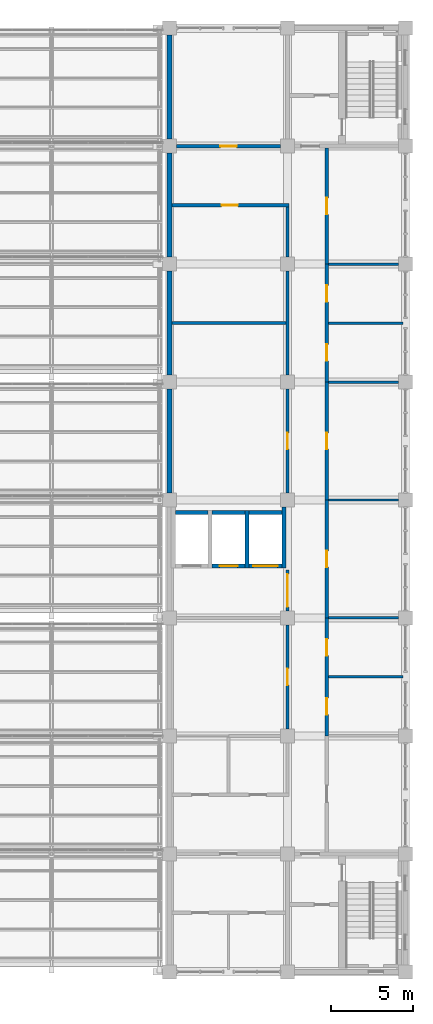
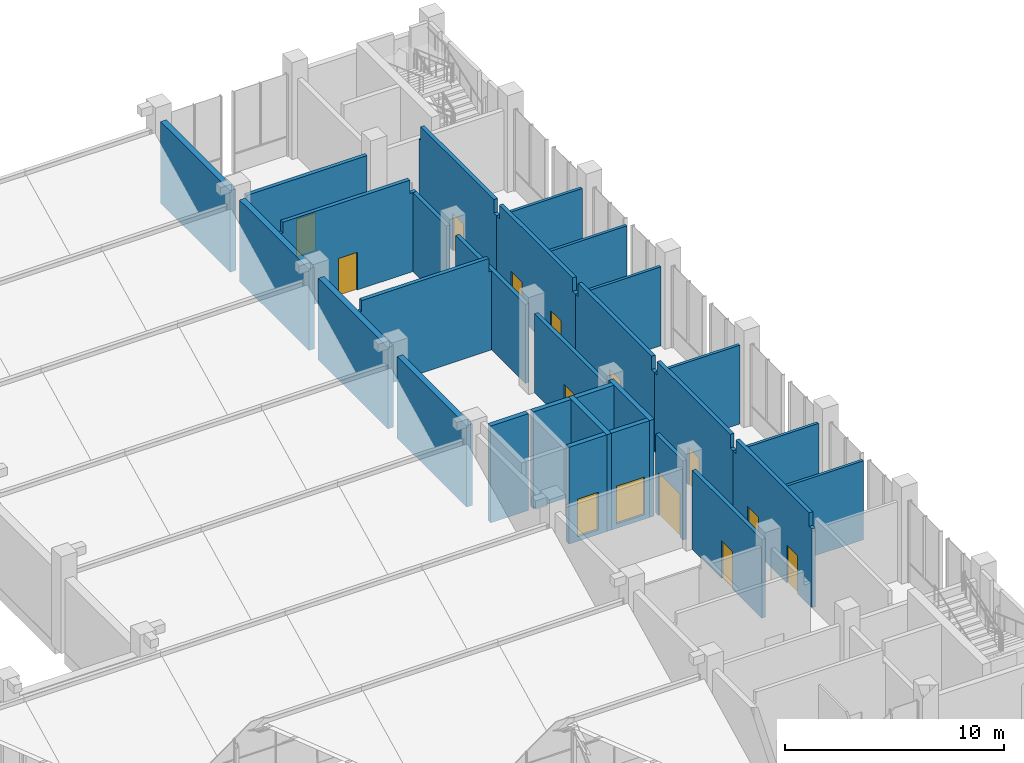
# One storey, part 75 of 83: 30 walls, 14 doors, 14 openings.
"""IFC4 building model written with IfcOpenShell, lengths in metres."""

from ifc_helpers import new_model, si_unit, direction, frame, frame_2d, origin, place, context, subcontext, project, spatial, polyline, rectangle, outline, extrude, material, layer, layer_set, type_object, element, fill, save


model = new_model("IFC4")

# Units and contexts
model_context = context("Model", 3, precision=1e-05, world=origin(), true_north=direction((0.0, 1.0)))
body_context = subcontext(model_context, "Body", "Model", "MODEL_VIEW")
ifc_project = project(units=[si_unit("LENGTHUNIT", "METRE"), si_unit("AREAUNIT", "SQUARE_METRE"), si_unit("VOLUMEUNIT", "CUBIC_METRE"), si_unit("PLANEANGLEUNIT", "RADIAN"), si_unit("MASSUNIT", "GRAM", prefix="KILO")], contexts=[model_context])

# Site, building, storey
site_placement = place(None, origin())
site = spatial("IfcSite", under=ifc_project, at=site_placement, CompositionType="ELEMENT")
building_placement = place(site_placement, origin())
building = spatial("IfcBuilding", under=site, at=building_placement, Name="Silangan Lancet Faculty of Sciences", CompositionType="ELEMENT")
storey_placement = place(building_placement, frame((0.0, 0.0, 11.39990234375)))
storey = spatial("IfcBuildingStorey", under=building, at=storey_placement, Name="L02", CompositionType="ELEMENT", Elevation=11.39990234375)

# Walls
ifc_material_1 = material(Name="Concrete C40/50", Category="concrete")
ifc_layer_1 = layer(ifc_material_1, 0.300048828125)
ifc_layer_set_1 = layer_set([ifc_layer_1], Name="Concrete C40/50")
wall_type_1 = type_object("IfcWallType", Name="EW6 Stone-faced base wall", PredefinedType="STANDARD", material=ifc_layer_set_1)
for number, where, z_axis, x_axis, name in (
    (1, (72.0, 29.22509765625, 0.0), (0.0, 0.0, 1.0), (0.0, 1.0, 0.0), "EW-L02-W-EB-04"),
    (2, (72.0, 36.425048828125, 0.0), (0.0, 0.0, 1.0), (0.0, 1.0, 0.0), "EW-L02-W-EB-05"),
):
    element("IfcWall", number, at=place(storey_placement, frame(where, z_axis=z_axis, x_axis=x_axis)), inside=storey, type_object=wall_type_1, Name=name, PredefinedType="STANDARD", context=body_context, shape_type="SweptSolid", body=[
        extrude(rectangle(XDim=6.349853515625, YDim=0.300048828125, at=frame_2d((3.1748046875, 0.0))), origin(), (0.0, 0.0, 1.0), 4.550048828125),
    ])
for number, where, z_axis, x_axis, name in (
    (3, (72.0, 43.625, 0.0), (0.0, 0.0, 1.0), (0.0, 1.0, 0.0), "EW-L02-W-EB-06"),
    (4, (72.0, 50.824951171875, 0.0), (0.0, 0.0, 1.0), (0.0, 1.0, 0.0), "EW-L02-W-EB-07"),
):
    element("IfcWall", number, at=place(storey_placement, frame(where, z_axis=z_axis, x_axis=x_axis)), inside=storey, type_object=wall_type_1, Name=name, PredefinedType="STANDARD", context=body_context, shape_type="SweptSolid", body=[
        extrude(rectangle(XDim=6.35009765625, YDim=0.300048828125, at=frame_2d((3.175048828125, 0.0))), origin(), (0.0, 0.0, 1.0), 4.550048828125),
    ])

# Wall, opening, door
ifc_material_2 = material(Name="Hollow block masonry fm 7 MPa", Category="masonry")
ifc_layer_2 = layer(ifc_material_2, 0.199951171875)
ifc_layer_set_2 = layer_set([ifc_layer_2], Name="Hollow block masonry fm 7 MPa")
wall_type_2 = type_object("IfcWallType", Name="Interior wall PW1 Corridor wall CHB 200", PredefinedType="PARTITIONING", material=ifc_layer_set_2)
wall_1_placement = place(storey_placement, frame((72.14990234375, 46.800048828125, 0.0), z_axis=(0.0, 0.0, 1.0), x_axis=(1.0, 0.0, 0.0)))
wall_1 = element("IfcWall", 5, at=wall_1_placement, inside=storey, type_object=wall_type_2, Name="Corridor wall CHB 200", PredefinedType="PARTITIONING", context=body_context, shape_type="SweptSolid", body=[
    extrude(outline(polyline([(0.0, 0.0), (7.150146484375, 0.0), (7.150146484375, 4.400146484375), (6.800048828125, 4.400146484375), (6.800048828125, 5.150146484375), (0.10009765625, 5.150146484375), (0.10009765625, 4.550048828125), (0.0, 4.550048828125), (0.0, 0.0)])), frame((0.0, 0.10009765625, 0.0), z_axis=(0.0, -1.0, 0.0), x_axis=(1.0, 0.0, 0.0)), (0.0, 0.0, 1.0), 0.199951171875),
])
opening_1_placement = place(wall_1_placement, frame((3.025146484375, 0.0, 0.0)))
opening_1 = element("IfcOpeningElement", 6, at=opening_1_placement, cuts=wall_1, Name="Opening L02-033", PredefinedType="OPENING", context=body_context, shape_type="SweptSolid", body=[
    extrude(rectangle(XDim=1.0, YDim=2.10009765625, at=frame_2d((0.5, 1.050048828125))), frame((0.0, 0.10986328125, 0.0), z_axis=(0.0, -1.0, 0.0), x_axis=(1.0, 0.0, 0.0)), (0.0, 0.0, 1.0), 0.219970703125),
])
ifc_material_3 = material(Name="Steel fire door set", Category="steel")
door_type_1 = type_object("IfcDoorType", Name="Door D1 Single leaf fire door 1000 x 2100", OperationType="SINGLE_SWING_LEFT", PredefinedType="DOOR", material=ifc_material_3)
door_1_placement = place(opening_1_placement, frame((1.0, 0.0, 0.0), z_axis=(0.0, 0.0, 1.0), x_axis=(-1.0, 0.0, 0.0)))
door_1 = element("IfcDoor", 7, at=door_1_placement, inside=storey, type_object=door_type_1, Name="Single leaf fire door 1000 x 2100", OperationType="SINGLE_SWING_LEFT", OverallHeight=2.10009765625, OverallWidth=1.0, PredefinedType="DOOR", context=body_context, shape_type="SweptSolid", body=[
    extrude(rectangle(XDim=1.0, YDim=2.10009765625, at=frame_2d((0.5, 1.050048828125))), frame((0.0, 0.025146484375, 0.0), z_axis=(0.0, -1.0, 0.0), x_axis=(1.0, 0.0, 0.0)), (0.0, 0.0, 1.0), 0.050048828125),
])
fill(opening_1, door_1)

wall_2_placement = place(storey_placement, frame((72.425048828125, 50.39990234375, 0.0), z_axis=(0.0, 0.0, 1.0), x_axis=(1.0, 0.0, 0.0)))
wall_2 = element("IfcWall", 8, at=wall_2_placement, inside=storey, type_object=wall_type_2, Name="Corridor wall CHB 200", PredefinedType="PARTITIONING", context=body_context, shape_type="SweptSolid", body=[
    extrude(rectangle(XDim=6.349853515625, YDim=0.199951171875, at=frame_2d((3.1748046875, 0.0))), origin(), (0.0, 0.0, 1.0), 4.400146484375),
])
opening_2_placement = place(wall_2_placement, frame((2.675048828125, 0.0, 0.0)))
opening_2 = element("IfcOpeningElement", 9, at=opening_2_placement, cuts=wall_2, Name="Opening L02-034", PredefinedType="OPENING", context=body_context, shape_type="SweptSolid", body=[
    extrude(rectangle(XDim=1.0, YDim=2.10009765625, at=frame_2d((0.5, 1.050048828125))), frame((0.0, 0.10986328125, 0.0), z_axis=(0.0, -1.0, 0.0), x_axis=(1.0, 0.0, 0.0)), (0.0, 0.0, 1.0), 0.219970703125),
])
door_2_placement = place(opening_2_placement, origin())
door_2 = element("IfcDoor", 10, at=door_2_placement, inside=storey, type_object=door_type_1, Name="Single leaf fire door 1000 x 2100", OperationType="SINGLE_SWING_LEFT", OverallHeight=2.10009765625, OverallWidth=1.0, PredefinedType="DOOR", context=body_context, shape_type="SweptSolid", body=[
    extrude(rectangle(XDim=1.0, YDim=2.10009765625, at=frame_2d((0.5, 1.050048828125))), frame((0.0, 0.02490234375, 0.0), z_axis=(0.0, -1.0, 0.0), x_axis=(1.0, 0.0, 0.0)), (0.0, 0.0, 1.0), 0.050048828125),
])
fill(opening_2, door_2)

wall_3_placement = place(storey_placement, frame((79.199951171875, 14.824951171875, 0.0), z_axis=(0.0, 0.0, 1.0), x_axis=(0.0, 1.0, 0.0)))
wall_3 = element("IfcWall", 11, at=wall_3_placement, inside=storey, type_object=wall_type_2, Name="Corridor wall CHB 200", PredefinedType="PARTITIONING", context=body_context, shape_type="SweptSolid", body=[
    extrude(rectangle(XDim=6.35009765625, YDim=0.199951171875, at=frame_2d((3.175048828125, 0.0))), origin(), (0.0, 0.0, 1.0), 4.400146484375),
])
opening_3_placement = place(wall_3_placement, frame((2.675048828125, 0.0, 0.0)))
opening_3 = element("IfcOpeningElement", 12, at=opening_3_placement, cuts=wall_3, Name="Opening L02-031", PredefinedType="OPENING", context=body_context, shape_type="SweptSolid", body=[
    extrude(rectangle(XDim=1.0, YDim=2.10009765625, at=frame_2d((0.5, 1.050048828125))), frame((0.0, 0.10986328125, 0.0), z_axis=(0.0, -1.0, 0.0), x_axis=(1.0, 0.0, 0.0)), (0.0, 0.0, 1.0), 0.219970703125),
])
door_3_placement = place(opening_3_placement, origin())
door_3 = element("IfcDoor", 13, at=door_3_placement, inside=storey, type_object=door_type_1, Name="Single leaf fire door 1000 x 2100", OperationType="SINGLE_SWING_RIGHT", OverallHeight=2.10009765625, OverallWidth=1.0, PredefinedType="DOOR", context=body_context, shape_type="SweptSolid", body=[
    extrude(rectangle(XDim=1.0, YDim=2.10009765625, at=frame_2d((0.5, 1.050048828125))), frame((0.0, 0.02490234375, 0.0), z_axis=(0.0, -1.0, 0.0), x_axis=(1.0, 0.0, 0.0)), (0.0, 0.0, 1.0), 0.050048828125),
])
fill(opening_3, door_3)

wall_4_placement = place(storey_placement, frame((79.199951171875, 29.22509765625, 0.0), z_axis=(0.0, 0.0, 1.0), x_axis=(0.0, 1.0, 0.0)))
wall_4 = element("IfcWall", 14, at=wall_4_placement, inside=storey, type_object=wall_type_2, Name="Corridor wall CHB 200", PredefinedType="PARTITIONING", context=body_context, shape_type="SweptSolid", body=[
    extrude(rectangle(XDim=6.349853515625, YDim=0.199951171875, at=frame_2d((3.1748046875, 0.0))), origin(), (0.0, 0.0, 1.0), 4.400146484375),
])
opening_4_placement = place(wall_4_placement, frame((2.6748046875, 0.0, 0.0)))
opening_4 = element("IfcOpeningElement", 15, at=opening_4_placement, cuts=wall_4, Name="Opening L02-032", PredefinedType="OPENING", context=body_context, shape_type="SweptSolid", body=[
    extrude(rectangle(XDim=1.0, YDim=2.10009765625, at=frame_2d((0.5, 1.050048828125))), frame((0.0, 0.10986328125, 0.0), z_axis=(0.0, -1.0, 0.0), x_axis=(1.0, 0.0, 0.0)), (0.0, 0.0, 1.0), 0.219970703125),
])
door_4_placement = place(opening_4_placement, origin())
door_4 = element("IfcDoor", 16, at=door_4_placement, inside=storey, type_object=door_type_1, Name="Single leaf fire door 1000 x 2100", OperationType="SINGLE_SWING_LEFT", OverallHeight=2.10009765625, OverallWidth=1.0, PredefinedType="DOOR", context=body_context, shape_type="SweptSolid", body=[
    extrude(rectangle(XDim=1.0, YDim=2.10009765625, at=frame_2d((0.5, 1.050048828125))), frame((0.0, 0.02490234375, 0.0), z_axis=(0.0, -1.0, 0.0), x_axis=(1.0, 0.0, 0.0)), (0.0, 0.0, 1.0), 0.050048828125),
])
fill(opening_4, door_4)

# Walls
wall_5_placement = place(storey_placement, frame((79.199951171875, 36.425048828125, 0.0), z_axis=(0.0, 0.0, 1.0), x_axis=(0.0, 1.0, 0.0)))
element("IfcWall", 17, at=wall_5_placement, inside=storey, type_object=wall_type_2, Name="Corridor wall CHB 200", PredefinedType="PARTITIONING", context=body_context, shape_type="SweptSolid", body=[
    extrude(rectangle(XDim=6.349853515625, YDim=0.199951171875, at=frame_2d((3.1748046875, 0.0))), origin(), (0.0, 0.0, 1.0), 4.400146484375),
])
wall_6_placement = place(storey_placement, frame((79.199951171875, 43.625, 0.0), z_axis=(0.0, 0.0, 1.0), x_axis=(0.0, 1.0, 0.0)))
element("IfcWall", 18, at=wall_6_placement, inside=storey, type_object=wall_type_2, Name="Corridor wall CHB 200", PredefinedType="PARTITIONING", context=body_context, shape_type="SweptSolid", body=[
    extrude(rectangle(XDim=3.074951171875, YDim=0.199951171875, at=frame_2d((1.53759765625, 0.0))), origin(), (0.0, 0.0, 1.0), 4.400146484375),
])

# Wall, openings, doors
wall_7_placement = place(storey_placement, frame((81.60009765625, 14.39990234375, 0.0), z_axis=(0.0, 0.0, 1.0), x_axis=(0.0, 1.0, 0.0)))
wall_7 = element("IfcWall", 19, at=wall_7_placement, inside=storey, type_object=wall_type_2, Name="Corridor wall CHB 200", PredefinedType="PARTITIONING", context=body_context, shape_type="SweptSolid", body=[
    extrude(outline(polyline([(0.0, 0.0), (7.2001953125, 0.0), (7.2001953125, 4.400146484375), (6.9501953125, 4.400146484375), (6.9501953125, 5.150146484375), (0.25, 5.150146484375), (0.25, 4.400146484375), (0.0, 4.400146484375), (0.0, 0.0)])), frame((0.0, 0.10009765625, 0.0), z_axis=(0.0, -1.0, 0.0), x_axis=(1.0, 0.0, 0.0)), (0.0, 0.0, 1.0), 0.199951171875),
])
opening_5_placement = place(wall_7_placement, frame((1.300048828125, 0.0, 0.0)))
opening_5 = element("IfcOpeningElement", 20, at=opening_5_placement, cuts=wall_7, Name="Opening L02-036", PredefinedType="OPENING", context=body_context, shape_type="SweptSolid", body=[
    extrude(rectangle(XDim=1.0, YDim=2.10009765625, at=frame_2d((0.5, 1.050048828125))), frame((0.0, 0.10986328125, 0.0), z_axis=(0.0, -1.0, 0.0), x_axis=(1.0, 0.0, 0.0)), (0.0, 0.0, 1.0), 0.219970703125),
])
opening_6_placement = place(wall_7_placement, frame((4.900146484375, 0.0, 0.0)))
opening_6 = element("IfcOpeningElement", 21, at=opening_6_placement, cuts=wall_7, Name="Opening L02-037", PredefinedType="OPENING", context=body_context, shape_type="SweptSolid", body=[
    extrude(rectangle(XDim=1.0, YDim=2.10009765625, at=frame_2d((0.5, 1.050048828125))), frame((0.0, 0.10986328125, 0.0), z_axis=(0.0, -1.0, 0.0), x_axis=(1.0, 0.0, 0.0)), (0.0, 0.0, 1.0), 0.219970703125),
])
door_5_placement = place(opening_5_placement, frame((1.0, 0.0, 0.0), z_axis=(0.0, 0.0, 1.0), x_axis=(-1.0, 0.0, 0.0)))
door_5 = element("IfcDoor", 22, at=door_5_placement, inside=storey, type_object=door_type_1, Name="Single leaf fire door 1000 x 2100", OperationType="SINGLE_SWING_RIGHT", OverallHeight=2.10009765625, OverallWidth=1.0, PredefinedType="DOOR", context=body_context, shape_type="SweptSolid", body=[
    extrude(rectangle(XDim=1.0, YDim=2.10009765625, at=frame_2d((0.5, 1.050048828125))), frame((0.0, 0.025146484375, 0.0), z_axis=(0.0, -1.0, 0.0), x_axis=(1.0, 0.0, 0.0)), (0.0, 0.0, 1.0), 0.050048828125),
])
fill(opening_5, door_5)
door_6_placement = place(opening_6_placement, frame((1.0, 0.0, 0.0), z_axis=(0.0, 0.0, 1.0), x_axis=(-1.0, 0.0, 0.0)))
door_6 = element("IfcDoor", 23, at=door_6_placement, inside=storey, type_object=door_type_1, Name="Single leaf fire door 1000 x 2100", OperationType="SINGLE_SWING_LEFT", OverallHeight=2.10009765625, OverallWidth=1.0, PredefinedType="DOOR", context=body_context, shape_type="SweptSolid", body=[
    extrude(rectangle(XDim=1.0, YDim=2.10009765625, at=frame_2d((0.5, 1.050048828125))), frame((0.0, 0.025146484375, 0.0), z_axis=(0.0, -1.0, 0.0), x_axis=(1.0, 0.0, 0.0)), (0.0, 0.0, 1.0), 0.050048828125),
])
fill(opening_6, door_6)

# Wall, opening, door
wall_8_placement = place(storey_placement, frame((81.60009765625, 21.60009765625, 0.0), z_axis=(0.0, 0.0, 1.0), x_axis=(0.0, 1.0, 0.0)))
wall_8 = element("IfcWall", 24, at=wall_8_placement, inside=storey, type_object=wall_type_2, Name="Corridor wall CHB 200", PredefinedType="PARTITIONING", context=body_context, shape_type="SweptSolid", body=[
    extrude(outline(polyline([(0.0, 0.0), (7.199951171875, 0.0), (7.199951171875, 4.400146484375), (6.949951171875, 4.400146484375), (6.949951171875, 5.150146484375), (0.25, 5.150146484375), (0.25, 4.400146484375), (0.0, 4.400146484375), (0.0, 0.0)])), frame((0.0, 0.10009765625, 0.0), z_axis=(0.0, -1.0, 0.0), x_axis=(1.0, 0.0, 0.0)), (0.0, 0.0, 1.0), 0.199951171875),
])
opening_7_placement = place(wall_8_placement, frame((3.099853515625, 0.0, 0.0)))
opening_7 = element("IfcOpeningElement", 25, at=opening_7_placement, cuts=wall_8, Name="Opening L02-038", PredefinedType="OPENING", context=body_context, shape_type="SweptSolid", body=[
    extrude(rectangle(XDim=1.0, YDim=2.10009765625, at=frame_2d((0.5, 1.050048828125))), frame((0.0, 0.10986328125, 0.0), z_axis=(0.0, -1.0, 0.0), x_axis=(1.0, 0.0, 0.0)), (0.0, 0.0, 1.0), 0.219970703125),
])
door_7_placement = place(opening_7_placement, frame((1.0, 0.0, 0.0), z_axis=(0.0, 0.0, 1.0), x_axis=(-1.0, 0.0, 0.0)))
door_7 = element("IfcDoor", 26, at=door_7_placement, inside=storey, type_object=door_type_1, Name="Single leaf fire door 1000 x 2100", OperationType="SINGLE_SWING_RIGHT", OverallHeight=2.10009765625, OverallWidth=1.0, PredefinedType="DOOR", context=body_context, shape_type="SweptSolid", body=[
    extrude(rectangle(XDim=1.0, YDim=2.10009765625, at=frame_2d((0.5, 1.050048828125))), frame((0.0, 0.025146484375, 0.0), z_axis=(0.0, -1.0, 0.0), x_axis=(1.0, 0.0, 0.0)), (0.0, 0.0, 1.0), 0.050048828125),
])
fill(opening_7, door_7)

wall_9_placement = place(storey_placement, frame((81.60009765625, 28.800048828125, 0.0), z_axis=(0.0, 0.0, 1.0), x_axis=(0.0, 1.0, 0.0)))
wall_9 = element("IfcWall", 27, at=wall_9_placement, inside=storey, type_object=wall_type_2, Name="Corridor wall CHB 200", PredefinedType="PARTITIONING", context=body_context, shape_type="SweptSolid", body=[
    extrude(outline(polyline([(0.0, 0.0), (7.199951171875, 0.0), (7.199951171875, 4.400146484375), (6.949951171875, 4.400146484375), (6.949951171875, 5.150146484375), (0.25, 5.150146484375), (0.25, 4.400146484375), (0.0, 4.400146484375), (0.0, 0.0)])), frame((0.0, 0.10009765625, 0.0), z_axis=(0.0, -1.0, 0.0), x_axis=(1.0, 0.0, 0.0)), (0.0, 0.0, 1.0), 0.199951171875),
])
opening_8_placement = place(wall_9_placement, frame((3.10009765625, 0.0, 0.0)))
opening_8 = element("IfcOpeningElement", 28, at=opening_8_placement, cuts=wall_9, Name="Opening L02-039", PredefinedType="OPENING", context=body_context, shape_type="SweptSolid", body=[
    extrude(rectangle(XDim=1.0, YDim=2.10009765625, at=frame_2d((0.5, 1.050048828125))), frame((0.0, 0.10986328125, 0.0), z_axis=(0.0, -1.0, 0.0), x_axis=(1.0, 0.0, 0.0)), (0.0, 0.0, 1.0), 0.219970703125),
])
door_8_placement = place(opening_8_placement, frame((1.0, 0.0, 0.0), z_axis=(0.0, 0.0, 1.0), x_axis=(-1.0, 0.0, 0.0)))
door_8 = element("IfcDoor", 29, at=door_8_placement, inside=storey, type_object=door_type_1, Name="Single leaf fire door 1000 x 2100", OperationType="SINGLE_SWING_LEFT", OverallHeight=2.10009765625, OverallWidth=1.0, PredefinedType="DOOR", context=body_context, shape_type="SweptSolid", body=[
    extrude(rectangle(XDim=1.0, YDim=2.10009765625, at=frame_2d((0.5, 1.050048828125))), frame((0.0, 0.025146484375, 0.0), z_axis=(0.0, -1.0, 0.0), x_axis=(1.0, 0.0, 0.0)), (0.0, 0.0, 1.0), 0.050048828125),
])
fill(opening_8, door_8)

# Wall, openings, doors
wall_10_placement = place(storey_placement, frame((81.60009765625, 36.0, 0.0), z_axis=(0.0, 0.0, 1.0), x_axis=(0.0, 1.0, 0.0)))
wall_10 = element("IfcWall", 30, at=wall_10_placement, inside=storey, type_object=wall_type_2, Name="Corridor wall CHB 200", PredefinedType="PARTITIONING", context=body_context, shape_type="SweptSolid", body=[
    extrude(outline(polyline([(0.0, 0.0), (7.199951171875, 0.0), (7.199951171875, 4.400146484375), (6.949951171875, 4.400146484375), (6.949951171875, 5.150146484375), (0.25, 5.150146484375), (0.25, 4.400146484375), (0.0, 4.400146484375), (0.0, 0.0)])), frame((0.0, 0.10009765625, 0.0), z_axis=(0.0, -1.0, 0.0), x_axis=(1.0, 0.0, 0.0)), (0.0, 0.0, 1.0), 0.199951171875),
])
opening_9_placement = place(wall_10_placement, frame((1.300048828125, 0.0, 0.0)))
opening_9 = element("IfcOpeningElement", 31, at=opening_9_placement, cuts=wall_10, Name="Opening L02-040", PredefinedType="OPENING", context=body_context, shape_type="SweptSolid", body=[
    extrude(rectangle(XDim=1.0, YDim=2.10009765625, at=frame_2d((0.5, 1.050048828125))), frame((0.0, 0.10986328125, 0.0), z_axis=(0.0, -1.0, 0.0), x_axis=(1.0, 0.0, 0.0)), (0.0, 0.0, 1.0), 0.219970703125),
])
opening_10_placement = place(wall_10_placement, frame((4.89990234375, 0.0, 0.0)))
opening_10 = element("IfcOpeningElement", 32, at=opening_10_placement, cuts=wall_10, Name="Opening L02-041", PredefinedType="OPENING", context=body_context, shape_type="SweptSolid", body=[
    extrude(rectangle(XDim=1.0, YDim=2.10009765625, at=frame_2d((0.5, 1.050048828125))), frame((0.0, 0.10986328125, 0.0), z_axis=(0.0, -1.0, 0.0), x_axis=(1.0, 0.0, 0.0)), (0.0, 0.0, 1.0), 0.219970703125),
])
door_9_placement = place(opening_9_placement, frame((1.0, 0.0, 0.0), z_axis=(0.0, 0.0, 1.0), x_axis=(-1.0, 0.0, 0.0)))
door_9 = element("IfcDoor", 33, at=door_9_placement, inside=storey, type_object=door_type_1, Name="Single leaf fire door 1000 x 2100", OperationType="SINGLE_SWING_RIGHT", OverallHeight=2.10009765625, OverallWidth=1.0, PredefinedType="DOOR", context=body_context, shape_type="SweptSolid", body=[
    extrude(rectangle(XDim=1.0, YDim=2.10009765625, at=frame_2d((0.5, 1.050048828125))), frame((0.0, 0.025146484375, 0.0), z_axis=(0.0, -1.0, 0.0), x_axis=(1.0, 0.0, 0.0)), (0.0, 0.0, 1.0), 0.050048828125),
])
fill(opening_9, door_9)
door_10_placement = place(opening_10_placement, frame((1.0, 0.0, 0.0), z_axis=(0.0, 0.0, 1.0), x_axis=(-1.0, 0.0, 0.0)))
door_10 = element("IfcDoor", 34, at=door_10_placement, inside=storey, type_object=door_type_1, Name="Single leaf fire door 1000 x 2100", OperationType="SINGLE_SWING_LEFT", OverallHeight=2.10009765625, OverallWidth=1.0, PredefinedType="DOOR", context=body_context, shape_type="SweptSolid", body=[
    extrude(rectangle(XDim=1.0, YDim=2.10009765625, at=frame_2d((0.5, 1.050048828125))), frame((0.0, 0.025146484375, 0.0), z_axis=(0.0, -1.0, 0.0), x_axis=(1.0, 0.0, 0.0)), (0.0, 0.0, 1.0), 0.050048828125),
])
fill(opening_10, door_10)

# Wall, opening, door
wall_11_placement = place(storey_placement, frame((81.60009765625, 43.199951171875, 0.0), z_axis=(0.0, 0.0, 1.0), x_axis=(0.0, 1.0, 0.0)))
wall_11 = element("IfcWall", 35, at=wall_11_placement, inside=storey, type_object=wall_type_2, Name="Corridor wall CHB 200", PredefinedType="PARTITIONING", context=body_context, shape_type="SweptSolid", body=[
    extrude(outline(polyline([(0.0, 0.0), (7.074951171875, 0.0), (7.074951171875, 4.400146484375), (6.949951171875, 4.400146484375), (6.949951171875, 5.150146484375), (0.25, 5.150146484375), (0.25, 4.400146484375), (0.0, 4.400146484375), (0.0, 0.0)])), frame((0.0, 0.10009765625, 0.0), z_axis=(0.0, -1.0, 0.0), x_axis=(1.0, 0.0, 0.0)), (0.0, 0.0, 1.0), 0.199951171875),
])
opening_11_placement = place(wall_11_placement, frame((3.03759765625, 0.0, 0.0)))
opening_11 = element("IfcOpeningElement", 36, at=opening_11_placement, cuts=wall_11, Name="Opening L02-042", PredefinedType="OPENING", context=body_context, shape_type="SweptSolid", body=[
    extrude(rectangle(XDim=1.0, YDim=2.10009765625, at=frame_2d((0.5, 1.050048828125))), frame((0.0, 0.10986328125, 0.0), z_axis=(0.0, -1.0, 0.0), x_axis=(1.0, 0.0, 0.0)), (0.0, 0.0, 1.0), 0.219970703125),
])
door_11_placement = place(opening_11_placement, frame((1.0, 0.0, 0.0), z_axis=(0.0, 0.0, 1.0), x_axis=(-1.0, 0.0, 0.0)))
door_11 = element("IfcDoor", 37, at=door_11_placement, inside=storey, type_object=door_type_1, Name="Single leaf fire door 1000 x 2100", OperationType="SINGLE_SWING_RIGHT", OverallHeight=2.10009765625, OverallWidth=1.0, PredefinedType="DOOR", context=body_context, shape_type="SweptSolid", body=[
    extrude(rectangle(XDim=1.0, YDim=2.10009765625, at=frame_2d((0.5, 1.050048828125))), frame((0.0, 0.025146484375, 0.0), z_axis=(0.0, -1.0, 0.0), x_axis=(1.0, 0.0, 0.0)), (0.0, 0.0, 1.0), 0.050048828125),
])
fill(opening_11, door_11)

# Walls
ifc_material_4 = material(Name="Hollow block masonry fm 7 MPa", Category="masonry")
ifc_layer_3 = layer(ifc_material_4, 0.14990234375)
ifc_layer_set_3 = layer_set([ifc_layer_3], Name="Hollow block masonry fm 7 MPa")
wall_type_3 = type_object("IfcWallType", Name="Interior wall PW3 Partition CHB 150", PredefinedType="PARTITIONING", material=ifc_layer_set_3)
wall_12_placement = place(storey_placement, frame((81.699951171875, 18.0, 0.0), z_axis=(0.0, 0.0, 1.0), x_axis=(1.0, 0.0, 0.0)))
element("IfcWall", 38, at=wall_12_placement, inside=storey, type_object=wall_type_3, Name="Partition CHB 150", PredefinedType="PARTITIONING", context=body_context, shape_type="SweptSolid", body=[
    extrude(rectangle(XDim=4.550048828125, YDim=0.14990234375, at=frame_2d((2.27490234375, 0.0))), origin(), (0.0, 0.0, 1.0), 4.400146484375),
])
for number, where, z_axis, x_axis, name in (
    (39, (81.699951171875, 21.60009765625, 0.0), (0.0, 0.0, 1.0), (1.0, 0.0, 0.0), "Partition CHB 150"),
    (40, (81.699951171875, 28.800048828125, 0.0), (0.0, 0.0, 1.0), (1.0, 0.0, 0.0), "Partition CHB 150"),
    (41, (81.699951171875, 36.0, 0.0), (0.0, 0.0, 1.0), (1.0, 0.0, 0.0), "Partition CHB 150"),
):
    element("IfcWall", number, at=place(storey_placement, frame(where, z_axis=z_axis, x_axis=x_axis)), inside=storey, type_object=wall_type_3, Name=name, PredefinedType="PARTITIONING", context=body_context, shape_type="SweptSolid", body=[
        extrude(rectangle(XDim=4.275146484375, YDim=0.14990234375, at=frame_2d((2.1376953125, 0.0))), origin(), (0.0, 0.0, 1.0), 4.400146484375),
    ])
wall_13_placement = place(storey_placement, frame((81.699951171875, 39.60009765625, 0.0), z_axis=(0.0, 0.0, 1.0), x_axis=(1.0, 0.0, 0.0)))
element("IfcWall", 42, at=wall_13_placement, inside=storey, type_object=wall_type_3, Name="Partition CHB 150", PredefinedType="PARTITIONING", context=body_context, shape_type="SweptSolid", body=[
    extrude(rectangle(XDim=4.550048828125, YDim=0.14990234375, at=frame_2d((2.27490234375, 0.0))), origin(), (0.0, 0.0, 1.0), 4.400146484375),
])
wall_14_placement = place(storey_placement, frame((81.699951171875, 43.199951171875, 0.0), z_axis=(0.0, 0.0, 1.0), x_axis=(1.0, 0.0, 0.0)))
element("IfcWall", 43, at=wall_14_placement, inside=storey, type_object=wall_type_3, Name="Partition CHB 150", PredefinedType="PARTITIONING", context=body_context, shape_type="SweptSolid", body=[
    extrude(rectangle(XDim=4.275146484375, YDim=0.14990234375, at=frame_2d((2.1376953125, 0.0))), origin(), (0.0, 0.0, 1.0), 4.400146484375),
])
ifc_material_5 = material(Name="Hollow block masonry fm 7 MPa", Category="masonry")
ifc_layer_4 = layer(ifc_material_5, 0.199951171875)
ifc_layer_set_4 = layer_set([ifc_layer_4], Name="Hollow block masonry fm 7 MPa")
wall_type_4 = type_object("IfcWallType", Name="Interior wall PW4 Laboratory separation CHB 200", PredefinedType="PARTITIONING", material=ifc_layer_set_4)
wall_15_placement = place(storey_placement, frame((72.14990234375, 39.60009765625, 0.0), z_axis=(0.0, 0.0, 1.0), x_axis=(1.0, 0.0, 0.0)))
element("IfcWall", 44, at=wall_15_placement, inside=storey, type_object=wall_type_4, Name="Laboratory separation CHB 200", PredefinedType="PARTITIONING", context=body_context, shape_type="SweptSolid", body=[
    extrude(outline(polyline([(0.0, 0.0), (6.9501953125, 0.0), (6.9501953125, 4.400146484375), (6.800048828125, 4.400146484375), (6.800048828125, 5.150146484375), (0.10009765625, 5.150146484375), (0.10009765625, 4.550048828125), (0.0, 4.550048828125), (0.0, 0.0)])), frame((0.0, 0.10009765625, 0.0), z_axis=(0.0, -1.0, 0.0), x_axis=(1.0, 0.0, 0.0)), (0.0, 0.0, 1.0), 0.199951171875),
])

# Wall, opening, door
ifc_material_6 = material(Name="Hollow block masonry fm 7 MPa", Category="masonry")
ifc_layer_5 = layer(ifc_material_6, 0.199951171875)
ifc_layer_set_5 = layer_set([ifc_layer_5], Name="Hollow block masonry fm 7 MPa")
wall_type_5 = type_object("IfcWallType", Name="Interior wall PW9 Lift lobby wall CHB 200", PredefinedType="PARTITIONING", material=ifc_layer_set_5)
wall_16_placement = place(storey_placement, frame((79.199951171875, 22.02490234375, 0.0), z_axis=(0.0, 0.0, 1.0), x_axis=(0.0, 1.0, 0.0)))
wall_16 = element("IfcWall", 45, at=wall_16_placement, inside=storey, type_object=wall_type_5, Name="Lift lobby wall CHB 200", PredefinedType="PARTITIONING", context=body_context, shape_type="SweptSolid", body=[
    extrude(rectangle(XDim=2.5, YDim=0.199951171875, at=frame_2d((1.25, 0.0))), origin(), (0.0, 0.0, 1.0), 4.400146484375),
])
opening_12_placement = place(wall_16_placement, frame((0.25, 0.0, 0.0)))
opening_12 = element("IfcOpeningElement", 46, at=opening_12_placement, cuts=wall_16, Name="Opening L02-007", PredefinedType="OPENING", context=body_context, shape_type="SweptSolid", body=[
    extrude(rectangle(XDim=2.0, YDim=2.39990234375, at=frame_2d((1.0, 1.199951171875))), frame((0.0, 0.10986328125, 0.0), z_axis=(0.0, -1.0, 0.0), x_axis=(1.0, 0.0, 0.0)), (0.0, 0.0, 1.0), 0.219970703125),
])
ifc_material_7 = material(Name="Steel fire door set", Category="steel")
door_type_2 = type_object("IfcDoorType", Name="Door D5 Lift lobby double fire door 2000 x 2400", OperationType="DOUBLE_DOOR_SINGLE_SWING", PredefinedType="DOOR", material=ifc_material_7)
door_12_placement = place(opening_12_placement, origin())
door_12 = element("IfcDoor", 47, at=door_12_placement, inside=storey, type_object=door_type_2, Name="Lift lobby double fire door 2000 x 2400", OperationType="DOUBLE_DOOR_SINGLE_SWING", OverallHeight=2.39990234375, OverallWidth=2.0, PredefinedType="DOOR", context=body_context, shape_type="SweptSolid", body=[
    extrude(rectangle(XDim=2.0, YDim=2.39990234375, at=frame_2d((1.0, 1.199951171875))), frame((0.0, 0.02490234375, 0.0), z_axis=(0.0, -1.0, 0.0), x_axis=(1.0, 0.0, 0.0)), (0.0, 0.0, 1.0), 0.050048828125),
])
fill(opening_12, door_12)

# Walls
ifc_material_8 = material(Name="Concrete C40/50", Category="concrete")
ifc_layer_6 = layer(ifc_material_8, 0.25)
ifc_layer_set_6 = layer_set([ifc_layer_6], Name="Concrete C40/50")
wall_type_6 = type_object("IfcWallType", Name="LIFT SHAFT WALL RC 250", PredefinedType="SHEAR", material=ifc_layer_set_6)
wall_17_placement = place(storey_placement, frame((76.72509765625, 24.64990234375, -0.25), z_axis=(0.0, 0.0, 1.0), x_axis=(0.0, 1.0, 0.0)))
element("IfcWall", 48, at=wall_17_placement, inside=storey, type_object=wall_type_6, Name="WALL-L02-EB-SW3", PredefinedType="SHEAR", context=body_context, shape_type="SweptSolid", body=[
    extrude(rectangle(XDim=3.5, YDim=0.25, at=frame_2d((1.75, 0.0))), origin(), (0.0, 0.0, 1.0), 5.400146484375),
])
wall_18_placement = place(storey_placement, frame((78.97509765625, 24.64990234375, -0.25), z_axis=(0.0, 0.0, 1.0), x_axis=(0.0, 1.0, 0.0)))
element("IfcWall", 49, at=wall_18_placement, inside=storey, type_object=wall_type_6, Name="WALL-L02-EB-SW4", PredefinedType="SHEAR", context=body_context, shape_type="SweptSolid", body=[
    extrude(rectangle(XDim=3.72509765625, YDim=0.25, at=frame_2d((1.862548828125, 0.0))), origin(), (0.0, 0.0, 1.0), 5.400146484375),
])
wall_19_placement = place(storey_placement, frame((72.35009765625, 28.02490234375, -0.25), z_axis=(0.0, 0.0, 1.0), x_axis=(1.0, 0.0, 0.0)))
element("IfcWall", 50, at=wall_19_placement, inside=storey, type_object=wall_type_6, Name="WALL-L02-EB-L1-B", PredefinedType="SHEAR", context=body_context, shape_type="SweptSolid", body=[
    extrude(rectangle(XDim=2.0, YDim=0.25, at=frame_2d((1.0, 0.0))), origin(), (0.0, 0.0, 1.0), 5.400146484375),
])

# Wall, opening, door
wall_20_placement = place(storey_placement, frame((74.60009765625, 24.77490234375, -0.25), z_axis=(0.0, 0.0, 1.0), x_axis=(1.0, 0.0, 0.0)))
wall_20 = element("IfcWall", 51, at=wall_20_placement, inside=storey, type_object=wall_type_6, Name="WALL-L02-EB-L2-F", PredefinedType="SHEAR", context=body_context, shape_type="SweptSolid", body=[
    extrude(rectangle(XDim=2.0, YDim=0.25, at=frame_2d((1.0, 0.0))), origin(), (0.0, 0.0, 1.0), 5.400146484375),
])
opening_13_placement = place(wall_20_placement, frame((0.449951171875, 0.0, 0.25)))
opening_13 = element("IfcOpeningElement", 52, at=opening_13_placement, cuts=wall_20, Name="Opening L02-802", PredefinedType="OPENING", context=body_context, shape_type="SweptSolid", body=[
    extrude(rectangle(XDim=1.10009765625, YDim=2.10009765625, at=frame_2d((0.550048828125, 1.050048828125))), frame((0.0, 0.135009765625, 0.0), z_axis=(0.0, -1.0, 0.0), x_axis=(1.0, 0.0, 0.0)), (0.0, 0.0, 1.0), 0.27001953125),
])
ifc_material_9 = material(Name="Stainless steel sliding door", Category="steel")
door_type_3 = type_object("IfcDoorType", Name="LD1 Lift landing door 1100x2100", OperationType="SLIDING_TO_LEFT", PredefinedType="DOOR", material=ifc_material_9)
door_13_placement = place(opening_13_placement, origin())
door_13 = element("IfcDoor", 53, at=door_13_placement, inside=storey, type_object=door_type_3, Name="Landing door EB-L2 L02", OperationType="SLIDING_TO_LEFT", OverallHeight=2.10009765625, OverallWidth=1.10009765625, PredefinedType="DOOR", context=body_context, shape_type="SweptSolid", body=[
    extrude(rectangle(XDim=1.10009765625, YDim=2.10009765625, at=frame_2d((0.550048828125, 1.050048828125))), frame((0.0, 0.02490234375, 0.0), z_axis=(0.0, -1.0, 0.0), x_axis=(1.0, 0.0, 0.0)), (0.0, 0.0, 1.0), 0.050048828125),
])
fill(opening_13, door_13)

# Wall
wall_21_placement = place(storey_placement, frame((74.60009765625, 28.02490234375, -0.25), z_axis=(0.0, 0.0, 1.0), x_axis=(1.0, 0.0, 0.0)))
element("IfcWall", 54, at=wall_21_placement, inside=storey, type_object=wall_type_6, Name="WALL-L02-EB-L2-B", PredefinedType="SHEAR", context=body_context, shape_type="SweptSolid", body=[
    extrude(rectangle(XDim=2.0, YDim=0.25, at=frame_2d((1.0, 0.0))), origin(), (0.0, 0.0, 1.0), 5.400146484375),
])

# Wall, opening, door
wall_22_placement = place(storey_placement, frame((76.85009765625, 24.77490234375, -0.25), z_axis=(0.0, 0.0, 1.0), x_axis=(1.0, 0.0, 0.0)))
wall_22 = element("IfcWall", 55, at=wall_22_placement, inside=storey, type_object=wall_type_6, Name="WALL-L02-EB-L3-F", PredefinedType="SHEAR", context=body_context, shape_type="SweptSolid", body=[
    extrude(rectangle(XDim=2.0, YDim=0.25, at=frame_2d((1.0, 0.0))), origin(), (0.0, 0.0, 1.0), 5.400146484375),
])
opening_14_placement = place(wall_22_placement, frame((0.25, 0.0, 0.25)))
opening_14 = element("IfcOpeningElement", 56, at=opening_14_placement, cuts=wall_22, Name="Opening L02-803", PredefinedType="OPENING", context=body_context, shape_type="SweptSolid", body=[
    extrude(rectangle(XDim=1.5, YDim=2.10009765625, at=frame_2d((0.75, 1.050048828125))), frame((0.0, 0.135009765625, 0.0), z_axis=(0.0, -1.0, 0.0), x_axis=(1.0, 0.0, 0.0)), (0.0, 0.0, 1.0), 0.27001953125),
])
ifc_material_10 = material(Name="Steel sliding door", Category="steel")
door_type_4 = type_object("IfcDoorType", Name="LD2 Lift landing door 1500x2100", OperationType="SLIDING_TO_LEFT", PredefinedType="DOOR", material=ifc_material_10)
door_14_placement = place(opening_14_placement, origin())
door_14 = element("IfcDoor", 57, at=door_14_placement, inside=storey, type_object=door_type_4, Name="Landing door EB-L3 L02", OperationType="SLIDING_TO_LEFT", OverallHeight=2.10009765625, OverallWidth=1.5, PredefinedType="DOOR", context=body_context, shape_type="SweptSolid", body=[
    extrude(rectangle(XDim=1.5, YDim=2.10009765625, at=frame_2d((0.75, 1.050048828125))), frame((0.0, 0.02490234375, 0.0), z_axis=(0.0, -1.0, 0.0), x_axis=(1.0, 0.0, 0.0)), (0.0, 0.0, 1.0), 0.050048828125),
])
fill(opening_14, door_14)

# Wall
wall_23_placement = place(storey_placement, frame((76.85009765625, 28.02490234375, -0.25), z_axis=(0.0, 0.0, 1.0), x_axis=(1.0, 0.0, 0.0)))
element("IfcWall", 58, at=wall_23_placement, inside=storey, type_object=wall_type_6, Name="WALL-L02-EB-L3-B", PredefinedType="SHEAR", context=body_context, shape_type="SweptSolid", body=[
    extrude(rectangle(XDim=2.0, YDim=0.25, at=frame_2d((1.0, 0.0))), origin(), (0.0, 0.0, 1.0), 5.400146484375),
])

save(model, "model.ifc")
